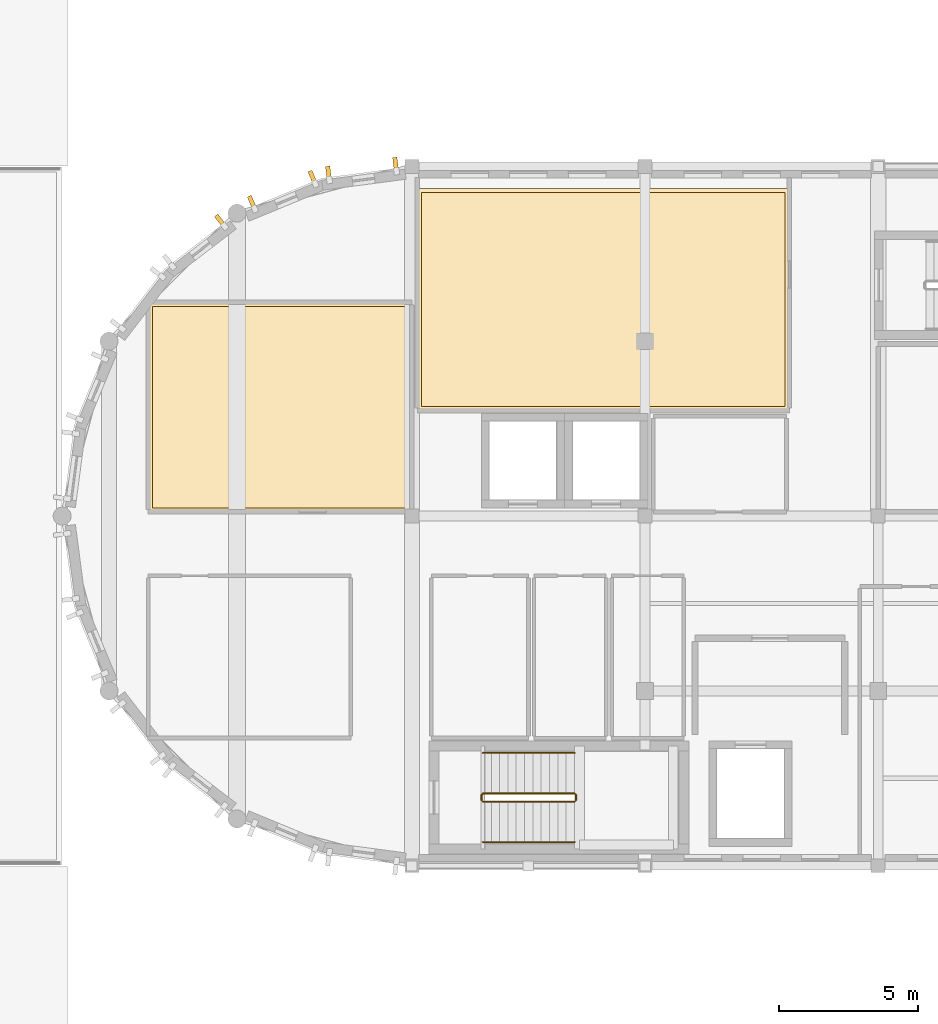
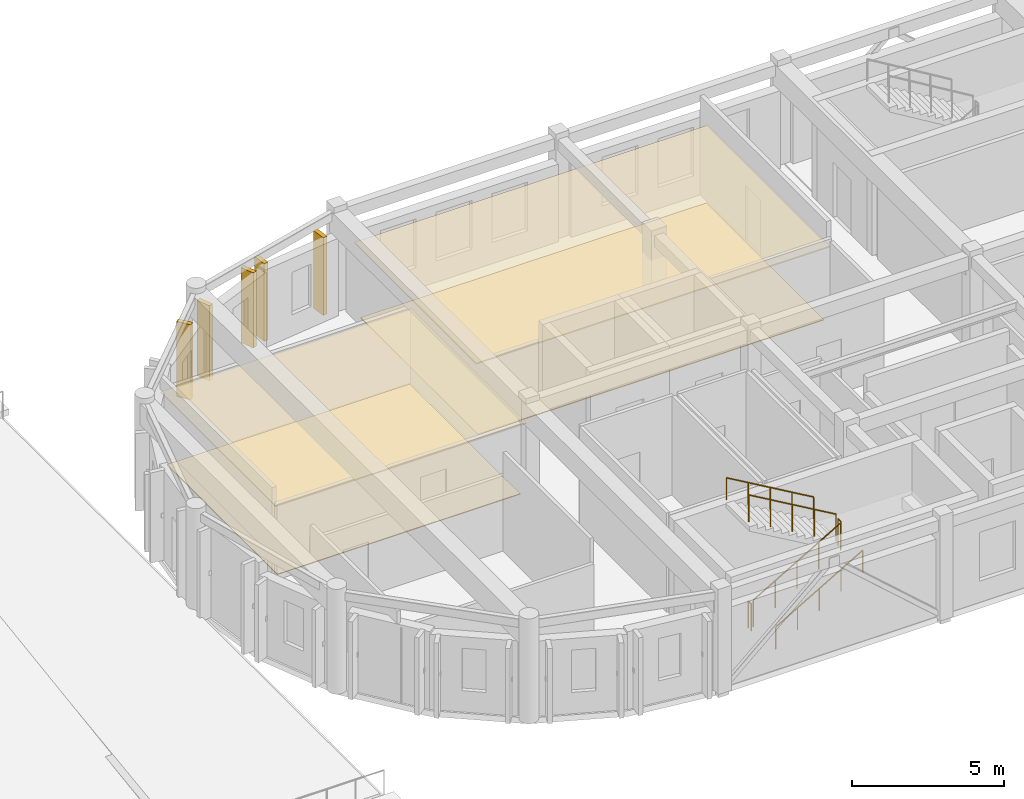
# One storey, part 10 of 12: 9 coverings, 6 railings.
"""IFC4 building model written with IfcOpenShell, lengths in metres."""

from ifc_helpers import new_model, si_unit, direction, frame, origin, origin_2d, place, context, subcontext, project, spatial, polyline, rectangle, circle, outline, extrude, material, layer, layer_set, type_object, element, save


model = new_model("IFC4")

# Units and contexts
model_context = context("Model", 3, precision=1e-05, world=origin(), true_north=direction((0.0, 1.0)))
body_context = subcontext(model_context, "Body", "Model", "MODEL_VIEW")
ifc_project = project(units=[si_unit("LENGTHUNIT", "METRE"), si_unit("AREAUNIT", "SQUARE_METRE"), si_unit("VOLUMEUNIT", "CUBIC_METRE"), si_unit("PLANEANGLEUNIT", "RADIAN"), si_unit("MASSUNIT", "GRAM", prefix="KILO")], contexts=[model_context])

# Site, building, storey
site_placement = place(None, origin())
site = spatial("IfcSite", under=ifc_project, at=site_placement, CompositionType="ELEMENT")
building_placement = place(site_placement, origin())
building = spatial("IfcBuilding", under=site, at=building_placement, Name="Tarnavel Promenade Courthouse", CompositionType="ELEMENT")
storey_placement = place(building_placement, frame((0.0, 0.0, 27.0)))
storey = spatial("IfcBuildingStorey", under=building, at=storey_placement, Name="L07", CompositionType="ELEMENT", Elevation=27.0)

# Railings
ifc_material_1 = material(Name="Brushed Bronze Tubular Stair Handrail")
railing_type_1 = type_object("IfcRailingType", Name="Brushed Bronze Tubular Stair Handrail (RL-HND-0900)", PredefinedType="HANDRAIL", material=ifc_material_1)
railing_1_placement = place(storey_placement, frame((61.360107421875, 80.050048828125, 0.175048828125)))
element("IfcRailing", 1, at=railing_1_placement, inside=storey, type_object=railing_type_1, Name="L07 ST-01 stair handrail 1", PredefinedType="HANDRAIL", context=body_context, shape_type="SweptSolid", body=[
    extrude(circle(Radius=0.02392578125, at=origin_2d()), frame((0.0, 0.0, 0.8759765625), z_axis=(0.863760357493, 0.0, 0.503902812876), x_axis=(0.0, 1.0, 0.0)), (0.0, 0.0, 1.0), 3.8203125),
    extrude(circle(Radius=0.02099609375, at=origin_2d()), origin(), (0.0, 0.0, 1.0), 0.851806640625),
    extrude(circle(Radius=0.02099609375, at=origin_2d()), frame((0.824951171875, 0.0, 0.481201171875)), (0.0, 0.0, 1.0), 0.851806640625),
    extrude(circle(Radius=0.02099609375, at=origin_2d()), frame((1.64990234375, 0.0, 0.96240234375)), (0.0, 0.0, 1.0), 0.851806640625),
    extrude(circle(Radius=0.02099609375, at=origin_2d()), frame((2.474853515625, 0.0, 1.44384765625)), (0.0, 0.0, 1.0), 0.851806640625),
    extrude(circle(Radius=0.02099609375, at=origin_2d()), frame((3.2998046875, 0.0, 1.925048828125)), (0.0, 0.0, 1.0), 0.851806640625),
])
railing_2_placement = place(storey_placement, frame((64.659912109375, 83.27001953125, 2.27490234375)))
element("IfcRailing", 2, at=railing_2_placement, inside=storey, type_object=railing_type_1, Name="L07 ST-01 stair handrail 2", PredefinedType="HANDRAIL", context=body_context, shape_type="SweptSolid", body=[
    extrude(circle(Radius=0.02392578125, at=origin_2d()), frame((0.0, 0.0, 0.8759765625), z_axis=(-0.863760357493, 0.0, 0.503902812876), x_axis=(0.0, -1.0, 0.0)), (0.0, 0.0, 1.0), 3.8203125),
    extrude(circle(Radius=0.02099609375, at=origin_2d()), origin(), (0.0, 0.0, 1.0), 0.851806640625),
    extrude(circle(Radius=0.02099609375, at=origin_2d()), frame((-0.824951171875, 0.0, 0.481201171875)), (0.0, 0.0, 1.0), 0.851806640625),
    extrude(circle(Radius=0.02099609375, at=origin_2d()), frame((-1.64990234375, 0.0, 0.96240234375)), (0.0, 0.0, 1.0), 0.851806640625),
    extrude(circle(Radius=0.02099609375, at=origin_2d()), frame((-2.474853515625, 0.0, 1.44384765625)), (0.0, 0.0, 1.0), 0.851806640625),
    extrude(circle(Radius=0.02099609375, at=origin_2d()), frame((-3.2998046875, 0.0, 1.925048828125)), (0.0, 0.0, 1.0), 0.851806640625),
])

# Coverings
ifc_material_2 = material(Name="Engineered Smoked Oak Courtroom & Chambers Parquet")
ifc_layer_1 = layer(ifc_material_2, 0.031982421875)
ifc_layer_set_1 = layer_set([ifc_layer_1], Name="Engineered Smoked Oak Courtroom & Chambers Parquet")
covering_type_1 = type_object("IfcCoveringType", Name="Engineered Smoked Oak Courtroom & Chambers Parquet (COV-FLR-OAK-32)", PredefinedType="FLOORING", material=ifc_layer_set_1)
covering_1_placement = place(storey_placement, origin())
element("IfcCovering", 3, at=covering_1_placement, inside=storey, type_object=covering_type_1, Name="L07 Appellate Judges' Chambers L07 Suite A Architectural Flooring 0048", PredefinedType="FLOORING", context=body_context, shape_type="SweptSolid", body=[
    extrude(outline(polyline([(59.14990234375, 95.75), (72.25, 95.75), (72.25, 103.449951171875), (59.14990234375, 103.449951171875), (59.14990234375, 95.75)])), origin(), (0.0, 0.0, 1.0), 0.031982421875),
])
covering_2_placement = place(storey_placement, origin())
element("IfcCovering", 4, at=covering_2_placement, inside=storey, type_object=covering_type_1, Name="L07 L07 West Drum Rotunda Chambers North Architectural Flooring 0051", PredefinedType="FLOORING", context=body_context, shape_type="SweptSolid", body=[
    extrude(outline(polyline([(49.449951171875, 92.10009765625), (58.64990234375, 92.10009765625), (58.64990234375, 99.35009765625), (49.449951171875, 99.35009765625), (49.449951171875, 92.10009765625)])), origin(), (0.0, 0.0, 1.0), 0.031982421875),
])
ifc_material_3 = material(Name="Micro-Perforated Acoustic Mineral-Fibre Ceiling")
ifc_layer_2 = layer(ifc_material_3, 0.044921875)
ifc_layer_set_2 = layer_set([ifc_layer_2], Name="Micro-Perforated Acoustic Mineral-Fibre Ceiling")
covering_type_2 = type_object("IfcCoveringType", Name="Micro-Perforated Acoustic Mineral-Fibre Ceiling (COV-CLG-MIN-45)", PredefinedType="CEILING", material=ifc_layer_set_2)
covering_3_placement = place(storey_placement, frame((0.0, 0.0, 2.965087890625)))
element("IfcCovering", 5, at=covering_3_placement, inside=storey, type_object=covering_type_2, Name="L07 Appellate Judges' Chambers L07 Suite A Acoustic Ceiling 0048", PredefinedType="CEILING", context=body_context, shape_type="SweptSolid", body=[
    extrude(outline(polyline([(59.0, 95.60009765625), (72.39990234375, 95.60009765625), (72.39990234375, 103.60009765625), (59.0, 103.60009765625), (59.0, 95.60009765625)])), origin(), (0.0, 0.0, 1.0), 0.044921875),
])
covering_4_placement = place(storey_placement, frame((0.0, 0.0, 2.864990234375)))
element("IfcCovering", 6, at=covering_4_placement, inside=storey, type_object=covering_type_2, Name="L07 L07 West Drum Rotunda Chambers North Acoustic Ceiling 0051", PredefinedType="CEILING", context=body_context, shape_type="SweptSolid", body=[
    extrude(outline(polyline([(49.300048828125, 91.949951171875), (58.800048828125, 91.949951171875), (58.800048828125, 99.5), (49.300048828125, 99.5), (49.300048828125, 91.949951171875)])), origin(), (0.0, 0.0, 1.0), 0.044921875),
])

# Railings
ifc_material_4 = material(Name="Painted Architectural Steel Core Stair Guardrail", Category="steel")
railing_type_2 = type_object("IfcRailingType", Name="Painted Architectural Steel Core Stair Guardrail (RL-GRD-1100)", PredefinedType="GUARDRAIL", material=ifc_material_4)
railing_3_placement = place(storey_placement, frame((61.360107421875, 81.510009765625, 0.175048828125)))
element("IfcRailing", 7, at=railing_3_placement, inside=storey, type_object=railing_type_2, Name="L07 ST-01 stair guard 1", PredefinedType="GUARDRAIL", context=body_context, shape_type="SweptSolid", body=[
    extrude(circle(Radius=0.02392578125, at=origin_2d()), frame((0.0, 0.0, 1.076171875), z_axis=(0.863760357493, 0.0, 0.503902812876), x_axis=(0.0, 1.0, 0.0)), (0.0, 0.0, 1.0), 3.8203125),
    extrude(circle(Radius=0.02099609375, at=origin_2d()), origin(), (0.0, 0.0, 1.0), 1.052001953125),
    extrude(circle(Radius=0.02099609375, at=origin_2d()), frame((0.824951171875, 0.0, 0.481201171875)), (0.0, 0.0, 1.0), 1.052001953125),
    extrude(circle(Radius=0.02099609375, at=origin_2d()), frame((1.64990234375, 0.0, 0.96240234375)), (0.0, 0.0, 1.0), 1.052001953125),
    extrude(circle(Radius=0.02099609375, at=origin_2d()), frame((2.474853515625, 0.0, 1.44384765625)), (0.0, 0.0, 1.0), 1.052001953125),
    extrude(circle(Radius=0.02099609375, at=origin_2d()), frame((3.2998046875, 0.0, 1.925048828125)), (0.0, 0.0, 1.0), 1.052001953125),
])
railing_4_placement = place(storey_placement, frame((64.7099609375, 81.56005859375, 2.10009765625)))
element("IfcRailing", 8, at=railing_4_placement, inside=storey, type_object=railing_type_2, Name="L07 ST-01 stair guard 2", PredefinedType="GUARDRAIL", context=body_context, shape_type="SweptSolid", body=[
    extrude(circle(Radius=0.02392578125, at=origin_2d()), frame((0.0, 0.0, 1.076171875), z_axis=(0.0, 1.0, 0.0), x_axis=(-1.0, 0.0, 0.0)), (0.0, 0.0, 1.0), 0.199951171875),
    extrude(circle(Radius=0.02099609375, at=origin_2d()), origin(), (0.0, 0.0, 1.0), 1.052001953125),
    extrude(circle(Radius=0.02099609375, at=origin_2d()), frame((0.0, 0.199951171875, 0.0)), (0.0, 0.0, 1.0), 1.052001953125),
])
railing_5_placement = place(storey_placement, frame((64.659912109375, 81.81005859375, 2.27490234375)))
element("IfcRailing", 9, at=railing_5_placement, inside=storey, type_object=railing_type_2, Name="L07 ST-01 stair guard 3", PredefinedType="GUARDRAIL", context=body_context, shape_type="SweptSolid", body=[
    extrude(circle(Radius=0.02392578125, at=origin_2d()), frame((0.0, 0.0, 1.076171875), z_axis=(-0.863760357493, 0.0, 0.503902812876), x_axis=(0.0, -1.0, 0.0)), (0.0, 0.0, 1.0), 3.8203125),
    extrude(circle(Radius=0.02099609375, at=origin_2d()), origin(), (0.0, 0.0, 1.0), 1.052001953125),
    extrude(circle(Radius=0.02099609375, at=origin_2d()), frame((-0.824951171875, 0.0, 0.481201171875)), (0.0, 0.0, 1.0), 1.052001953125),
    extrude(circle(Radius=0.02099609375, at=origin_2d()), frame((-1.64990234375, 0.0, 0.96240234375)), (0.0, 0.0, 1.0), 1.052001953125),
    extrude(circle(Radius=0.02099609375, at=origin_2d()), frame((-2.474853515625, 0.0, 1.44384765625)), (0.0, 0.0, 1.0), 1.052001953125),
    extrude(circle(Radius=0.02099609375, at=origin_2d()), frame((-3.2998046875, 0.0, 1.925048828125)), (0.0, 0.0, 1.0), 1.052001953125),
])
railing_6_placement = place(storey_placement, frame((61.31005859375, 81.56005859375, 0.0)))
element("IfcRailing", 10, at=railing_6_placement, inside=storey, type_object=railing_type_2, Name="L07 ST-01 stair guard 4", PredefinedType="GUARDRAIL", context=body_context, shape_type="SweptSolid", body=[
    extrude(circle(Radius=0.02392578125, at=origin_2d()), frame((0.0, 0.0, 1.076171875), z_axis=(0.0, 1.0, 0.0), x_axis=(-1.0, 0.0, 0.0)), (0.0, 0.0, 1.0), 0.199951171875),
    extrude(circle(Radius=0.02099609375, at=origin_2d()), origin(), (0.0, 0.0, 1.0), 1.052001953125),
    extrude(circle(Radius=0.02099609375, at=origin_2d()), frame((0.0, 0.199951171875, 0.0)), (0.0, 0.0, 1.0), 1.052001953125),
])

# Coverings
ifc_material_5 = material(Name="Patinated Copper-Bronze Fluted Pier Cladding")
ifc_layer_3 = layer(ifc_material_5, 0.52001953125)
ifc_layer_set_3 = layer_set([ifc_layer_3], Name="Patinated Copper-Bronze Fluted Pier Cladding")
covering_type_3 = type_object("IfcCoveringType", Name="Patinated Copper-Bronze Fluted Pier Cladding COV-PIER-520 (520 mm)", PredefinedType="CLADDING", material=ifc_layer_set_3)
for number, where, z_axis, x_axis, name in (
    (11, (58.216552734375, 104.46435546875, 0.0), (0.0, 0.0, 1.0), (-0.991444861374, -0.13052619222, 0.0), "L07 W Drum Fluted Copper Pier 0223"),
    (12, (55.798095703125, 104.14599609375, 0.0), (0.0, 0.0, 1.0), (-0.991444861374, -0.13052619222, 0.0), "L07 W Drum Fluted Copper Pier 0224"),
):
    element("IfcCovering", number, at=place(storey_placement, frame(where, z_axis=z_axis, x_axis=x_axis)), inside=storey, type_object=covering_type_3, Name=name, PredefinedType="CLADDING", context=body_context, shape_type="SweptSolid", body=[
        extrude(rectangle(XDim=0.159912109375, YDim=0.52001953125, at=origin_2d()), origin(), (0.0, 0.0, 1.0), 3.110107421875),
    ])
for number, where, z_axis, x_axis, name in (
    (13, (55.2265625, 103.992919921875, 0.0), (0.0, 0.0, 1.0), (-0.923879532511, -0.382683432365, 0.0), "L07 W Drum Fluted Copper Pier 0225"),
    (14, (53.042236328125, 103.088134765625, 0.0), (0.0, 0.0, 1.0), (-0.923879532511, -0.382683432365, 0.0), "L07 W Drum Fluted Copper Pier 0226"),
    (15, (51.903076171875, 102.430419921875, 0.0), (0.0, 0.0, 1.0), (-0.793353340291, -0.608761429009, 0.0), "L07 W Drum Fluted Copper Pier 0227"),
):
    element("IfcCovering", number, at=place(storey_placement, frame(where, z_axis=z_axis, x_axis=x_axis)), inside=storey, type_object=covering_type_3, Name=name, PredefinedType="CLADDING", context=body_context, shape_type="SweptSolid", body=[
        extrude(rectangle(XDim=0.159912109375, YDim=0.52001953125, at=origin_2d()), origin(), (0.0, 0.0, 1.0), 3.010009765625),
    ])

save(model, "model.ifc")
